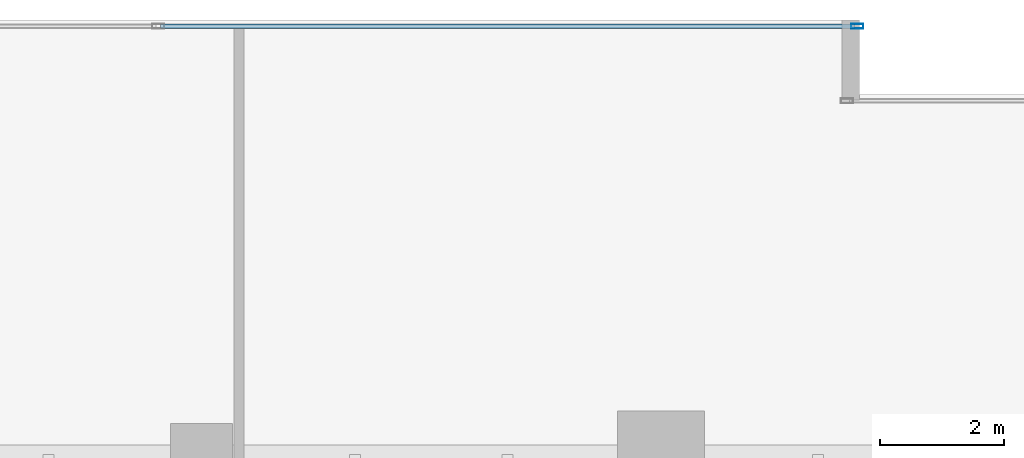
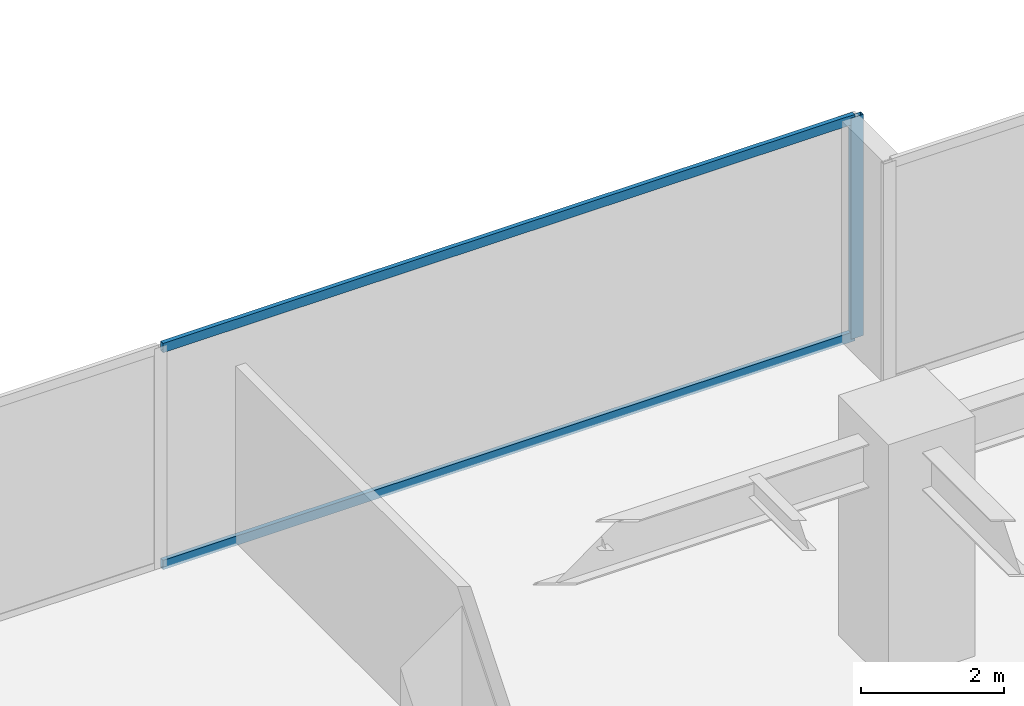
# One storey, part 16 of 35: 3 members, 1 element without a shape of its own.
"""IFC4 building model written with IfcOpenShell, lengths in metres."""

import ifcopenshell
import ifcopenshell.guid

model = None  # the IFC model being written
_history = None  # IfcOwnerHistory: only IFC2X3 demands one
_inside = {}  # id of a spatial element -> (the spatial element, [elements in it])
_under = {}  # id of a project, library or spatial element -> (it, [spatial elements below it])
_declared = {}  # id of a project -> (the project, [libraries it declares])
_typed = {}  # id of a type object -> (the type object, [elements of that type])
_made_of = {}  # id of a material, layer set ... -> (it, [elements and type objects made of it])


def new_model(schema):
    """Start an empty IFC model of exactly this schema.

    Asked for "IFC4X3", IfcOpenShell would pick the latest addendum, in which some entities
    have other attributes; the version numbers below select the first issue.
    IFC2X3 requires an IfcOwnerHistory on every rooted entity: one is made here for all.
    """
    global model, _history
    if schema == "IFC4X3":
        model = ifcopenshell.file(schema_version=(4, 3, 0, 0))
    else:
        model = ifcopenshell.file(schema=schema)
    _inside.clear()
    _under.clear()
    _declared.clear()
    _typed.clear()
    _made_of.clear()
    _history = None
    if model.schema == "IFC2X3":
        org = make("IfcOrganization", Name="unknown")
        user = make(
            "IfcPersonAndOrganization",
            ThePerson=make("IfcPerson", FamilyName="unknown"),
            TheOrganization=org,
        )
        app = make(
            "IfcApplication",
            ApplicationDeveloper=org,
            Version="unknown",
            ApplicationFullName="unknown",
            ApplicationIdentifier="unknown",
        )
        _history = make(
            "IfcOwnerHistory",
            OwningUser=user,
            OwningApplication=app,
            ChangeAction="ADDED",
            CreationDate=0,
        )
    return model


def make(cls, **values):
    """One entity of the class cls with the attributes given. An attribute that is None is left unset."""
    return model.create_entity(
        cls, **{name: value for name, value in values.items() if value is not None}
    )


def rooted(cls, **values):
    """An entity with a GlobalId (a new one), such as an element, a storey or a relation."""
    return make(cls, GlobalId=ifcopenshell.guid.new(), OwnerHistory=_history, **values)


def si_unit(unit_type, name, prefix=None):
    """IfcSIUnit, for example si_unit("LENGTHUNIT", "METRE", prefix="MILLI")."""
    return make("IfcSIUnit", UnitType=unit_type, Prefix=prefix, Name=name)


def assignment(units):
    """IfcUnitAssignment: the units of a project."""
    return None if units is None else make("IfcUnitAssignment", Units=units)


def point(xyz):
    """IfcCartesianPoint."""
    return None if xyz is None else make("IfcCartesianPoint", Coordinates=xyz)


def direction(xyz):
    """IfcDirection."""
    return None if xyz is None else make("IfcDirection", DirectionRatios=xyz)


def frame(location, z_axis=None, x_axis=None):
    """IfcAxis2Placement3D, a coordinate frame: its origin and axes. An axis left out is left unset."""
    return make(
        "IfcAxis2Placement3D",
        Location=point(location),
        Axis=direction(z_axis),
        RefDirection=direction(x_axis),
    )


def frame_2d(location, x_axis=None):
    """IfcAxis2Placement2D, a coordinate frame in the plane: its origin and x axis."""
    return make(
        "IfcAxis2Placement2D", Location=point(location), RefDirection=direction(x_axis)
    )


def origin():
    """The frame at (0, 0, 0) with its axes left unset."""
    return frame((0.0, 0.0, 0.0))


def origin_2d():
    """The frame at (0, 0) in the plane with its x axis left unset."""
    return frame_2d((0.0, 0.0))


def place(relative_to, where):
    """IfcLocalPlacement: puts the frame where relative to a parent placement (None: the world)."""
    return make(
        "IfcLocalPlacement", PlacementRelTo=relative_to, RelativePlacement=where
    )


def context(
    kind, dimensions, precision=None, world=None, true_north=None, identifier=None
):
    """IfcGeometricRepresentationContext, for example the 3D "Model" context."""
    return make(
        "IfcGeometricRepresentationContext",
        ContextIdentifier=identifier,
        ContextType=kind,
        CoordinateSpaceDimension=dimensions,
        Precision=precision,
        WorldCoordinateSystem=world,
        TrueNorth=true_north,
    )


def subcontext(parent, identifier, kind, view, scale=None):
    """IfcGeometricRepresentationSubContext, for example "Body" below "Model"."""
    return make(
        "IfcGeometricRepresentationSubContext",
        ContextIdentifier=identifier,
        ContextType=kind,
        ParentContext=parent,
        TargetScale=scale,
        TargetView=view,
    )


def project(units=None, contexts=None):
    """IfcProject with its units and contexts."""
    return rooted(
        "IfcProject",
        Name="project",
        RepresentationContexts=contexts,
        UnitsInContext=assignment(units),
    )


def spatial(cls, under=None, at=None, **own):
    """A site, building, storey or space (cls), placed at a placement, below another one or the project."""
    s = rooted(cls, ObjectPlacement=at, **own)
    if under is not None:
        _under.setdefault(under.id(), (under, []))[1].append(s)
    return s


def profile(cls, at=None, kind="AREA", **sizes):
    """A parametric profile (cls). Its sizes go by their IFC names, for example OverallWidth=200.0."""
    return make(cls, ProfileType=kind, Position=at, **sizes)


def hollow_rectangle(**sizes):
    """IfcRectangleHollowProfileDef."""
    return profile("IfcRectangleHollowProfileDef", **sizes)


def extrude(swept, where, along, depth):
    """IfcExtrudedAreaSolid: the profile swept, set in the frame where, extruded along a direction by depth."""
    return make(
        "IfcExtrudedAreaSolid",
        SweptArea=swept,
        Position=where,
        ExtrudedDirection=direction(along),
        Depth=depth,
    )


def shape(context_of_items, identifier, shape_type, items):
    """IfcShapeRepresentation: the items that make up one representation, for example the "Body"."""
    return make(
        "IfcShapeRepresentation",
        ContextOfItems=context_of_items,
        RepresentationIdentifier=identifier,
        RepresentationType=shape_type,
        Items=items,
    )


def source(mapping_origin, context_of_items, identifier, shape_type, items):
    """IfcRepresentationMap: a shape defined once, which mapped items show again and again."""
    return make(
        "IfcRepresentationMap",
        MappingOrigin=mapping_origin,
        MappedRepresentation=shape(context_of_items, identifier, shape_type, items),
    )


def transform(
    local_origin,
    x_axis=None,
    y_axis=None,
    z_axis=None,
    scale=None,
    scale2=None,
    scale3=None,
    uniform=True,
):
    """IfcCartesianTransformationOperator3D, or its non-uniform kind. x_axis, y_axis, z_axis: its Axis1, 2, 3."""
    if uniform:
        return make(
            "IfcCartesianTransformationOperator3D",
            Axis1=direction(x_axis),
            Axis2=direction(y_axis),
            LocalOrigin=point(local_origin),
            Scale=scale,
            Axis3=direction(z_axis),
        )
    return make(
        "IfcCartesianTransformationOperator3DnonUniform",
        Axis1=direction(x_axis),
        Axis2=direction(y_axis),
        LocalOrigin=point(local_origin),
        Scale=scale,
        Axis3=direction(z_axis),
        Scale2=scale2,
        Scale3=scale3,
    )


def mapped(mapping_source, mapping_target):
    """IfcMappedItem: shows the shape of a source again, moved by a transform."""
    return make(
        "IfcMappedItem", MappingSource=mapping_source, MappingTarget=mapping_target
    )


def material(Name=None, Category=None):
    """IfcMaterial."""
    return make("IfcMaterial", Name=Name, Category=Category)


def layer(
    of_material, thickness, ventilated=None, Name=None, Category=None, Priority=None
):
    """IfcMaterialLayer: one layer of a wall or slab, of a material (None: an air gap)."""
    return make(
        "IfcMaterialLayer",
        Material=of_material,
        LayerThickness=thickness,
        IsVentilated=ventilated,
        Name=Name,
        Category=Category,
        Priority=Priority,
    )


def layer_set(layers, Name=None):
    """IfcMaterialLayerSet."""
    return make("IfcMaterialLayerSet", MaterialLayers=layers, LayerSetName=Name)


def material_profile(
    of_material, cross_section, Name=None, Category=None, Priority=None
):
    """IfcMaterialProfile: a cross section and its material."""
    return make(
        "IfcMaterialProfile",
        Name=Name,
        Material=of_material,
        Profile=cross_section,
        Priority=Priority,
        Category=Category,
    )


def profile_set(profiles, Name=None, composite=None):
    """IfcMaterialProfileSet."""
    return make(
        "IfcMaterialProfileSet",
        Name=Name,
        MaterialProfiles=profiles,
        CompositeProfile=composite,
    )


def made_of(thing, what):
    """Note that an element or type object is made of a material, layer set ...; save() writes the relation."""
    if what is not None:
        _made_of.setdefault(what.id(), (what, []))[1].append(thing)
    return thing


def type_object(cls, material=None, **own):
    """A type object (cls), such as IfcWallType, which elements share."""
    return made_of(rooted(cls, **own), material)


def type_shapes(of_type, sources):
    """Give a type object the sources (RepresentationMaps) that its elements show as mapped items."""
    of_type.RepresentationMaps = sources


def element(
    cls,
    number,
    at=None,
    inside=None,
    cuts=None,
    type_object=None,
    material=None,
    context=None,
    identifier="Body",
    shape_type=None,
    held_by="IfcProductDefinitionShape",
    body=None,
    shapes=None,
    **own,
):
    """One element of the class cls, such as IfcWall. Its Tag is "e" and its number.

    at: its placement. inside: the storey or other place that contains it. cuts: it is an
    opening in that element (IfcRelVoidsElement). A single representation is given by context,
    identifier, shape_type and body (its items); several are given by shapes. held_by: the class
    of the entity that holds the representations. save() writes the other relations.
    """
    e = rooted(cls, Tag="e%d" % number, ObjectPlacement=at, **own)
    if body is not None:
        shapes = [shape(context, identifier, shape_type, body)]
    if shapes is not None:
        e.Representation = make(held_by, Representations=shapes)
    if inside is not None:
        _inside.setdefault(inside.id(), (inside, []))[1].append(e)
    if cuts is not None:
        rooted(
            "IfcRelVoidsElement", RelatingBuildingElement=cuts, RelatedOpeningElement=e
        )
    if type_object is not None:
        _typed.setdefault(type_object.id(), (type_object, []))[1].append(e)
    return made_of(e, material)


def aggregate(whole, parts):
    """IfcRelAggregates: a whole, such as a stair, and the parts it consists of."""
    return rooted("IfcRelAggregates", RelatingObject=whole, RelatedObjects=parts)


def save(model, path):
    """Write the relations noted so far, then the file.

    IfcRelAggregates (storeys below a building ...), IfcRelContainedInSpatialStructure (elements
    in a storey), IfcRelDefinesByType, IfcRelAssociatesMaterial and IfcRelDeclares: one each for
    every whole, place, type object, material and project.
    """
    for whole, parts in _under.values():
        aggregate(whole, parts)
    for where, things in _inside.values():
        rooted(
            "IfcRelContainedInSpatialStructure",
            RelatedElements=things,
            RelatingStructure=where,
        )
    for kind, things in _typed.values():
        rooted("IfcRelDefinesByType", RelatedObjects=things, RelatingType=kind)
    for what, things in _made_of.values():
        rooted("IfcRelAssociatesMaterial", RelatedObjects=things, RelatingMaterial=what)
    for by, libraries in _declared.values():
        rooted("IfcRelDeclares", RelatingContext=by, RelatedDefinitions=libraries)
    model.write(path)


model = new_model("IFC4")

# Units and contexts
model_context = context("Model", 3, precision=1e-05, world=origin(), true_north=direction((0.0, 1.0)))
body_context = subcontext(model_context, "Body", "Model", "MODEL_VIEW")
ifc_project = project(units=[si_unit("LENGTHUNIT", "METRE"), si_unit("AREAUNIT", "SQUARE_METRE"), si_unit("VOLUMEUNIT", "CUBIC_METRE"), si_unit("PLANEANGLEUNIT", "RADIAN"), si_unit("MASSUNIT", "GRAM", prefix="KILO")], contexts=[model_context])

# Site, building, storey
site_placement = place(None, origin())
site = spatial("IfcSite", under=ifc_project, at=site_placement, CompositionType="ELEMENT")
building_placement = place(site_placement, origin())
building = spatial("IfcBuilding", under=site, at=building_placement, Name="Haelvirn Gate Laboratories", CompositionType="ELEMENT")
storey_placement = place(building_placement, frame((0.0, 0.0, 70.300048828125)))
storey = spatial("IfcBuildingStorey", under=building, at=storey_placement, Name="L17", CompositionType="ELEMENT", Elevation=70.300048828125)

# Curtain wall, members
ifc_material_1 = material(Name="Anodised bronze unitised aluminium & triple low-E glass", Category="aluminium")
ifc_layer = layer(ifc_material_1, 0.18408203125, Name="CW-SYS-2")
ifc_layer_set = layer_set([ifc_layer], Name="Anodised bronze unitised aluminium & triple low-E glass")
curtain_wall_type = type_object("IfcCurtainWallType", Name="CW-SYS-2", PredefinedType="NOTDEFINED", material=ifc_layer_set)
curtain_wall_placement = place(storey_placement, origin())
curtain_wall = element("IfcCurtainWall", 1, at=curtain_wall_placement, inside=storey, type_object=curtain_wall_type, Name="L17 Unitised Curtain Wall CW-L17-P0-E14-1", PredefinedType="NOTDEFINED")
ifc_material_2 = material(Name="Extruded aluminium 6063-T6 (anodised bronze)", Category="aluminium")
ifc_material_profile_1 = material_profile(ifc_material_2, hollow_rectangle(XDim=0.074951171875, YDim=0.199951171875, WallThickness=0.0048828125, at=origin_2d()), Name="CWM-200x75x5")
ifc_profile_set_1 = profile_set([ifc_material_profile_1], Name="Extruded aluminium 6063-T6 (anodised bronze)")
member_type_1 = type_object("IfcMemberType", Name="CWM-T200", PredefinedType="MULLION", material=ifc_profile_set_1)
shared_shape_1 = source(origin(), body_context, "Body", "SweptSolid", [
    extrude(hollow_rectangle(XDim=0.074951171875, YDim=0.199951171875, WallThickness=0.0048828125, at=origin_2d()), origin(), (0.0, 0.0, 1.0), 3.780029296875),
])
type_shapes(member_type_1, [shared_shape_1])
member_1_placement = place(storey_placement, frame((25.362548828125, 48.5, 0.0), z_axis=(0.0, 0.0, 1.0), x_axis=(0.0, 1.0, 0.0)))
member_1 = element("IfcMember", 2, at=member_1_placement, type_object=member_type_1, Name="CW2 mullion 3", PredefinedType="MULLION", context=body_context, shape_type="MappedRepresentation", body=[
    mapped(shared_shape_1, transform((0.0, 0.0, 0.0), scale=1.0)),
])
ifc_material_profile_2 = material_profile(ifc_material_2, hollow_rectangle(XDim=0.070068359375, YDim=0.159912109375, WallThickness=0.0048828125, at=origin_2d()), Name="CWT-160x70x5")
ifc_profile_set_2 = profile_set([ifc_material_profile_2], Name="Extruded aluminium 6063-T6 (anodised bronze)")
member_type_2 = type_object("IfcMemberType", Name="CWT-T160", PredefinedType="USERDEFINED", material=ifc_profile_set_2)
shared_shape_2 = source(origin(), body_context, "Body", "SweptSolid", [
    extrude(hollow_rectangle(XDim=0.070068359375, YDim=0.159912109375, WallThickness=0.0048828125, at=origin_2d()), origin(), (0.0, 0.0, 1.0), 11.1875),
])
type_shapes(member_type_2, [shared_shape_2])
member_2_placement = place(storey_placement, frame((14.137451171875, 48.5, 0.034912109375), z_axis=(1.0, 0.0, 0.0), x_axis=(0.0, 1.0, 0.0)))
member_2 = element("IfcMember", 3, at=member_2_placement, type_object=member_type_2, Name="CW2 transom 2.1", ObjectType="TRANSOM", PredefinedType="USERDEFINED", context=body_context, shape_type="MappedRepresentation", body=[
    mapped(shared_shape_2, transform((0.0, 0.0, 0.0), scale=1.0)),
])
member_3_placement = place(storey_placement, frame((14.137451171875, 48.5, 3.744873046875), z_axis=(1.0, 0.0, 0.0), x_axis=(0.0, 1.0, 0.0)))
member_3 = element("IfcMember", 4, at=member_3_placement, type_object=member_type_2, Name="CW2 transom 2.2", ObjectType="TRANSOM", PredefinedType="USERDEFINED", context=body_context, shape_type="MappedRepresentation", body=[
    mapped(shared_shape_2, transform((0.0, 0.0, 0.0), scale=1.0)),
])
aggregate(curtain_wall, [member_1, member_2, member_3])

save(model, "model.ifc")
